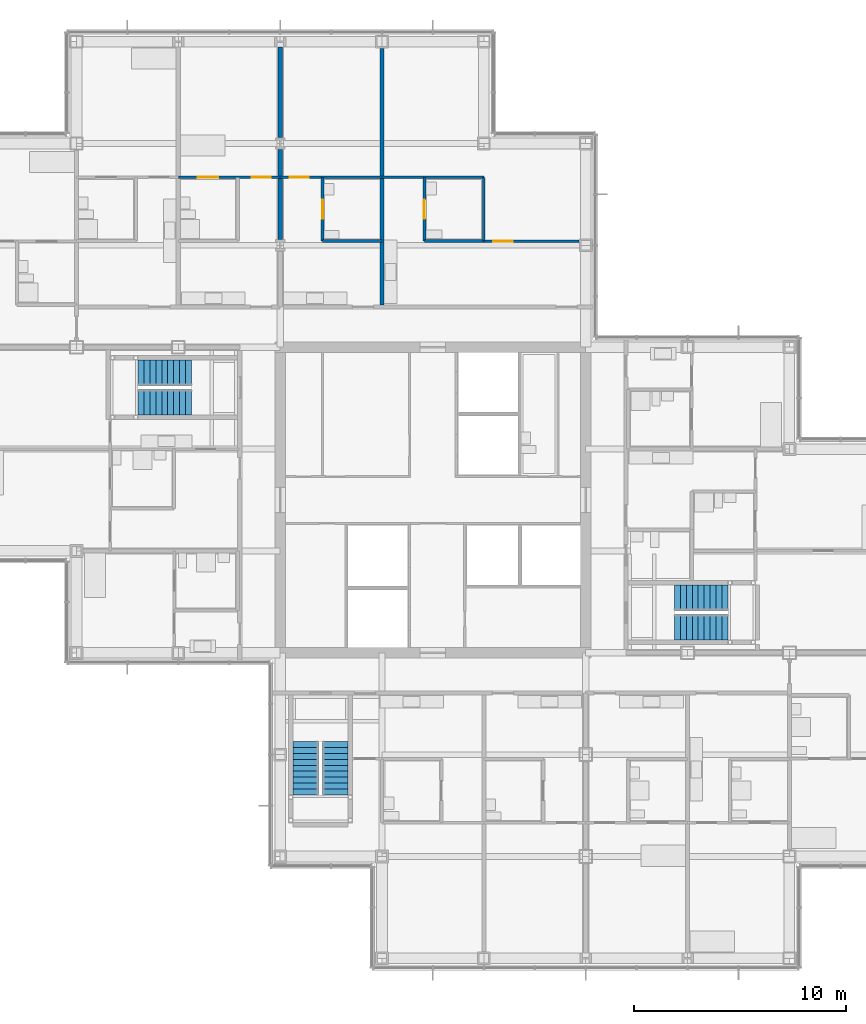
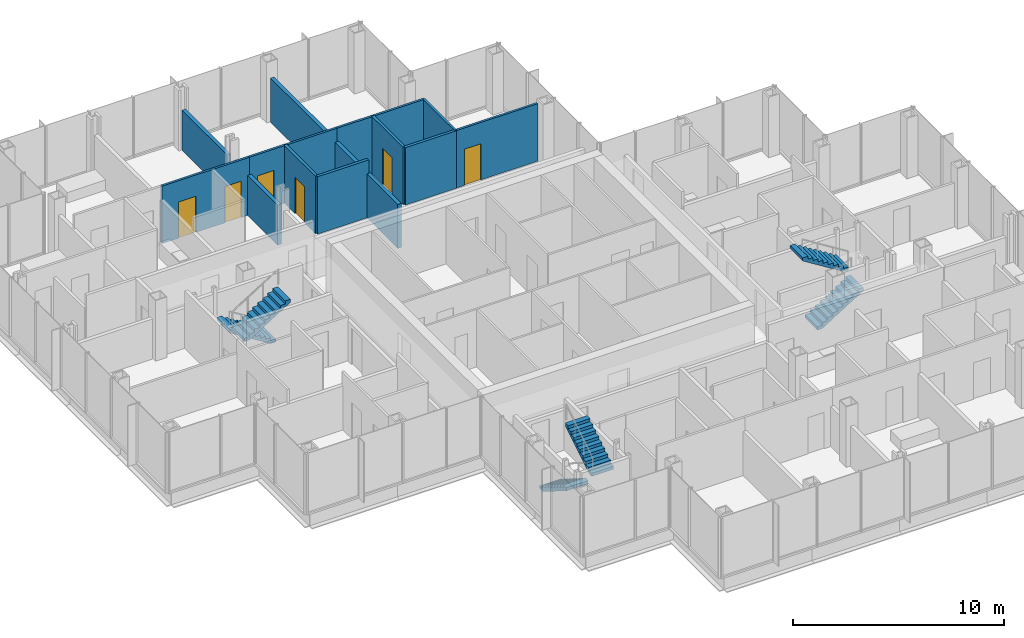
# One storey, part 17 of 20: 12 walls, 6 doors, 6 stair flights, 6 openings, 3 elements without a shape of their own.
"""IFC4 building model written with IfcOpenShell, lengths in metres."""

from ifc_helpers import new_model, si_unit, direction, frame, frame_2d, origin, place, context, subcontext, project, spatial, polyline, rectangle, outline, extrude, material, layer, layer_set, type_object, element, fill, aggregate, save


model = new_model("IFC4")

# Units and contexts
model_context = context("Model", 3, precision=1e-05, world=origin(), true_north=direction((0.0, 1.0)))
body_context = subcontext(model_context, "Body", "Model", "MODEL_VIEW")
ifc_project = project(units=[si_unit("LENGTHUNIT", "METRE"), si_unit("AREAUNIT", "SQUARE_METRE"), si_unit("VOLUMEUNIT", "CUBIC_METRE"), si_unit("PLANEANGLEUNIT", "RADIAN"), si_unit("MASSUNIT", "GRAM", prefix="KILO")], contexts=[model_context])

# Site, building, storey
site_placement = place(None, origin())
site = spatial("IfcSite", under=ifc_project, at=site_placement, CompositionType="ELEMENT")
building_placement = place(site_placement, origin())
building = spatial("IfcBuilding", under=site, at=building_placement, Name="Kvirike Care Tower", CompositionType="ELEMENT")
storey_placement = place(building_placement, frame((0.0, 0.0, 112.0)))
storey = spatial("IfcBuildingStorey", under=building, at=storey_placement, Name="L30", CompositionType="ELEMENT", Elevation=112.0)

# Wall, opening, door
ifc_material_1 = material(Name="Moisture-resistant board partition", Category="gypsum")
ifc_layer_1 = layer(ifc_material_1, 0.14990234375)
ifc_layer_set_1 = layer_set([ifc_layer_1], Name="BATHROOM WALL 150")
wall_type_1 = type_object("IfcWallType", Name="BATHROOM WALL 150", PredefinedType="PARTITIONING", material=ifc_layer_set_1)
wall_1_placement = place(storey_placement, frame((21.199951171875, 51.199951171875, 0.0), z_axis=(0.0, 0.0, 1.0), x_axis=(0.0, -1.0, 0.0)))
wall_1 = element("IfcWall", 1, at=wall_1_placement, inside=storey, type_object=wall_type_1, Name="Bathroom Wall 150 L30", PredefinedType="PARTITIONING", context=body_context, shape_type="SweptSolid", body=[
    extrude(rectangle(XDim=3.0, YDim=0.14990234375, at=frame_2d((1.5, 0.0))), origin(), (0.0, 0.0, 1.0), 3.330078125),
])
opening_1_placement = place(wall_1_placement, frame((1.050048828125, 0.0, 0.0)))
opening_1 = element("IfcOpeningElement", 2, at=opening_1_placement, cuts=wall_1, Name="Opening 30-026", PredefinedType="OPENING", context=body_context, shape_type="SweptSolid", body=[
    extrude(rectangle(XDim=0.89990234375, YDim=2.10009765625, at=frame_2d((0.449951171875, 1.050048828125))), frame((0.0, 0.08544921875, 0.0), z_axis=(0.0, -1.0, 0.0), x_axis=(1.0, 0.0, 0.0)), (0.0, 0.0, 1.0), 0.1708984375),
])
ifc_material_2 = material(Name="Timber door set", Category="wood")
door_type_1 = type_object("IfcDoorType", Name="BATHROOM DOOR 900", OperationType="SINGLE_SWING_RIGHT", PredefinedType="DOOR", material=ifc_material_2)
door_1_placement = place(opening_1_placement, origin())
door_1 = element("IfcDoor", 3, at=door_1_placement, inside=storey, type_object=door_type_1, Name="Accessible WC door", OperationType="SINGLE_SWING_LEFT", OverallHeight=2.10009765625, OverallWidth=0.89990234375, PredefinedType="DOOR", context=body_context, shape_type="SweptSolid", body=[
    extrude(rectangle(XDim=0.89990234375, YDim=2.10009765625, at=frame_2d((0.449951171875, 1.050048828125))), frame((0.0, 0.02197265625, 0.0), z_axis=(0.0, -1.0, 0.0), x_axis=(1.0, 0.0, 0.0)), (0.0, 0.0, 1.0), 0.0439453125),
])
fill(opening_1, door_1)

# Wall
wall_2_placement = place(storey_placement, frame((24.0, 48.199951171875, 0.0), z_axis=(0.0, 0.0, 1.0), x_axis=(-1.0, 0.0, 0.0)))
element("IfcWall", 4, at=wall_2_placement, inside=storey, type_object=wall_type_1, Name="Bathroom Wall 150 L30", PredefinedType="PARTITIONING", context=body_context, shape_type="SweptSolid", body=[
    extrude(rectangle(XDim=2.800048828125, YDim=0.14990234375, at=frame_2d((1.39990234375, 0.0))), origin(), (0.0, 0.0, 1.0), 3.330078125),
])

# Wall, opening, door
wall_3_placement = place(storey_placement, frame((16.39990234375, 51.199951171875, 0.0), z_axis=(0.0, 0.0, 1.0), x_axis=(0.0, -1.0, 0.0)))
wall_3 = element("IfcWall", 5, at=wall_3_placement, inside=storey, type_object=wall_type_1, Name="Bathroom Wall 150 L30", PredefinedType="PARTITIONING", context=body_context, shape_type="SweptSolid", body=[
    extrude(rectangle(XDim=3.0, YDim=0.14990234375, at=frame_2d((1.5, 0.0))), origin(), (0.0, 0.0, 1.0), 3.330078125),
])
opening_2_placement = place(wall_3_placement, frame((1.050048828125, 0.0, 0.0)))
opening_2 = element("IfcOpeningElement", 6, at=opening_2_placement, cuts=wall_3, Name="Opening 30-028", PredefinedType="OPENING", context=body_context, shape_type="SweptSolid", body=[
    extrude(rectangle(XDim=0.89990234375, YDim=2.10009765625, at=frame_2d((0.449951171875, 1.050048828125))), frame((0.0, 0.08544921875, 0.0), z_axis=(0.0, -1.0, 0.0), x_axis=(1.0, 0.0, 0.0)), (0.0, 0.0, 1.0), 0.1708984375),
])
door_2_placement = place(opening_2_placement, origin())
door_2 = element("IfcDoor", 7, at=door_2_placement, inside=storey, type_object=door_type_1, Name="Staff WC door", OperationType="SINGLE_SWING_LEFT", OverallHeight=2.10009765625, OverallWidth=0.89990234375, PredefinedType="DOOR", context=body_context, shape_type="SweptSolid", body=[
    extrude(rectangle(XDim=0.89990234375, YDim=2.10009765625, at=frame_2d((0.449951171875, 1.050048828125))), frame((0.0, 0.02197265625, 0.0), z_axis=(0.0, -1.0, 0.0), x_axis=(1.0, 0.0, 0.0)), (0.0, 0.0, 1.0), 0.0439453125),
])
fill(opening_2, door_2)

# Wall
wall_4_placement = place(storey_placement, frame((19.199951171875, 48.199951171875, 0.0), z_axis=(0.0, 0.0, 1.0), x_axis=(-1.0, 0.0, 0.0)))
element("IfcWall", 8, at=wall_4_placement, inside=storey, type_object=wall_type_1, Name="Bathroom Wall 150 L30", PredefinedType="PARTITIONING", context=body_context, shape_type="SweptSolid", body=[
    extrude(rectangle(XDim=2.800048828125, YDim=0.14990234375, at=frame_2d((1.39990234375, 0.0))), origin(), (0.0, 0.0, 1.0), 3.330078125),
])

# Wall, openings, doors
ifc_material_3 = material(Name="Plasterboard partition", Category="gypsum")
ifc_layer_2 = layer(ifc_material_3, 0.1201171875)
ifc_layer_set_2 = layer_set([ifc_layer_2], Name="PARTITION 120")
wall_type_2 = type_object("IfcWallType", Name="PARTITION 120", PredefinedType="PARTITIONING", material=ifc_layer_set_2)
wall_5_placement = place(storey_placement, frame((14.39990234375, 51.199951171875, 0.0), z_axis=(0.0, 0.0, 1.0), x_axis=(-1.0, 0.0, 0.0)))
wall_5 = element("IfcWall", 9, at=wall_5_placement, inside=storey, type_object=wall_type_2, Name="Partition 120 L30", PredefinedType="PARTITIONING", context=body_context, shape_type="SweptSolid", body=[
    extrude(rectangle(XDim=4.7998046875, YDim=0.1201171875, at=frame_2d((2.39990234375, 0.0))), origin(), (0.0, 0.0, 1.0), 3.330078125),
])
opening_3_placement = place(wall_5_placement, frame((0.449951171875, 0.0, 0.0)))
opening_3 = element("IfcOpeningElement", 10, at=opening_3_placement, cuts=wall_5, Name="Opening 30-010", PredefinedType="OPENING", context=body_context, shape_type="SweptSolid", body=[
    extrude(rectangle(XDim=0.89990234375, YDim=2.10009765625, at=frame_2d((0.449951171875, 1.050048828125))), frame((0.0, 0.070556640625, 0.0), z_axis=(0.0, -1.0, 0.0), x_axis=(1.0, 0.0, 0.0)), (0.0, 0.0, 1.0), 0.14111328125),
])
opening_4_placement = place(wall_5_placement, frame((2.925048828125, 0.0, 0.0)))
opening_4 = element("IfcOpeningElement", 11, at=opening_4_placement, cuts=wall_5, Name="Opening 30-011", PredefinedType="OPENING", context=body_context, shape_type="SweptSolid", body=[
    extrude(rectangle(XDim=0.949951171875, YDim=2.10009765625, at=frame_2d((0.47509765625, 1.050048828125))), frame((0.0, 0.070556640625, 0.0), z_axis=(0.0, -1.0, 0.0), x_axis=(1.0, 0.0, 0.0)), (0.0, 0.0, 1.0), 0.14111328125),
])
ifc_material_4 = material(Name="Timber door set", Category="wood")
door_type_2 = type_object("IfcDoorType", Name="EN-SUITE SLIDING DOOR 950", OperationType="SLIDING_TO_LEFT", PredefinedType="DOOR", material=ifc_material_4)
door_3_placement = place(opening_4_placement, origin())
door_3 = element("IfcDoor", 12, at=door_3_placement, inside=storey, type_object=door_type_2, Name="En-suite door", OperationType="SLIDING_TO_RIGHT", OverallHeight=2.10009765625, OverallWidth=0.949951171875, PredefinedType="DOOR", context=body_context, shape_type="SweptSolid", body=[
    extrude(rectangle(XDim=0.949951171875, YDim=2.10009765625, at=frame_2d((0.47509765625, 1.050048828125))), frame((0.0, 0.02197265625, 0.0), z_axis=(0.0, -1.0, 0.0), x_axis=(1.0, 0.0, 0.0)), (0.0, 0.0, 1.0), 0.0439453125),
])
fill(opening_4, door_3)
ifc_material_5 = material(Name="Timber door set", Category="wood")
door_type_3 = type_object("IfcDoorType", Name="INTERNAL DOOR 900", OperationType="SINGLE_SWING_LEFT", PredefinedType="DOOR", material=ifc_material_5)
door_4_placement = place(opening_3_placement, origin())
door_4 = element("IfcDoor", 13, at=door_4_placement, inside=storey, type_object=door_type_3, Name="Assisted living suite door", OperationType="SINGLE_SWING_RIGHT", OverallHeight=2.10009765625, OverallWidth=0.89990234375, PredefinedType="DOOR", context=body_context, shape_type="SweptSolid", body=[
    extrude(rectangle(XDim=0.89990234375, YDim=2.10009765625, at=frame_2d((0.449951171875, 1.050048828125))), frame((0.0, 0.02197265625, 0.0), z_axis=(0.0, -1.0, 0.0), x_axis=(1.0, 0.0, 0.0)), (0.0, 0.0, 1.0), 0.0439453125),
])
fill(opening_3, door_4)

# Wall, opening, door
wall_6_placement = place(storey_placement, frame((28.47998046875, 48.199951171875, 0.0), z_axis=(0.0, 0.0, 1.0), x_axis=(-1.0, 0.0, 0.0)))
wall_6 = element("IfcWall", 14, at=wall_6_placement, inside=storey, type_object=wall_type_2, Name="Partition 120 L30", PredefinedType="PARTITIONING", context=body_context, shape_type="SweptSolid", body=[
    extrude(rectangle(XDim=4.47998046875, YDim=0.1201171875, at=frame_2d((2.239990234375, 0.0))), origin(), (0.0, 0.0, 1.0), 3.330078125),
])
opening_5_placement = place(wall_6_placement, frame((3.1298828125, 0.0, 0.0)))
opening_5 = element("IfcOpeningElement", 15, at=opening_5_placement, cuts=wall_6, Name="Opening 30-027", PredefinedType="OPENING", context=body_context, shape_type="SweptSolid", body=[
    extrude(rectangle(XDim=0.89990234375, YDim=2.10009765625, at=frame_2d((0.449951171875, 1.050048828125))), frame((0.0, 0.070556640625, 0.0), z_axis=(0.0, -1.0, 0.0), x_axis=(1.0, 0.0, 0.0)), (0.0, 0.0, 1.0), 0.14111328125),
])
door_5_placement = place(opening_5_placement, origin())
door_5 = element("IfcDoor", 16, at=door_5_placement, inside=storey, type_object=door_type_3, Name="Household lounge door", OperationType="SINGLE_SWING_RIGHT", OverallHeight=2.10009765625, OverallWidth=0.89990234375, PredefinedType="DOOR", context=body_context, shape_type="SweptSolid", body=[
    extrude(rectangle(XDim=0.89990234375, YDim=2.10009765625, at=frame_2d((0.449951171875, 1.050048828125))), frame((0.0, 0.02197265625, 0.0), z_axis=(0.0, -1.0, 0.0), x_axis=(1.0, 0.0, 0.0)), (0.0, 0.0, 1.0), 0.0439453125),
])
fill(opening_5, door_5)

# Walls
wall_7_placement = place(storey_placement, frame((24.0, 51.199951171875, 0.0), z_axis=(0.0, 0.0, 1.0), x_axis=(-1.0, 0.0, 0.0)))
element("IfcWall", 17, at=wall_7_placement, inside=storey, type_object=wall_type_2, Name="Partition 120 L30", PredefinedType="PARTITIONING", context=body_context, shape_type="SweptSolid", body=[
    extrude(rectangle(XDim=4.800048828125, YDim=0.1201171875, at=frame_2d((2.39990234375, 0.0))), origin(), (0.0, 0.0, 1.0), 3.330078125),
])
wall_8_placement = place(storey_placement, frame((24.0, 51.199951171875, 0.0), z_axis=(0.0, 0.0, 1.0), x_axis=(0.0, -1.0, 0.0)))
element("IfcWall", 18, at=wall_8_placement, inside=storey, type_object=wall_type_2, Name="Partition 120 L30", PredefinedType="PARTITIONING", context=body_context, shape_type="SweptSolid", body=[
    extrude(rectangle(XDim=3.0, YDim=0.1201171875, at=frame_2d((1.5, 0.0))), origin(), (0.0, 0.0, 1.0), 3.330078125),
])

# Wall, opening, door
wall_9_placement = place(storey_placement, frame((19.199951171875, 51.199951171875, 0.0), z_axis=(0.0, 0.0, 1.0), x_axis=(-1.0, 0.0, 0.0)))
wall_9 = element("IfcWall", 19, at=wall_9_placement, inside=storey, type_object=wall_type_2, Name="Partition 120 L30", PredefinedType="PARTITIONING", context=body_context, shape_type="SweptSolid", body=[
    extrude(rectangle(XDim=4.800048828125, YDim=0.1201171875, at=frame_2d((2.39990234375, 0.0))), origin(), (0.0, 0.0, 1.0), 3.330078125),
])
opening_6_placement = place(wall_9_placement, frame((3.449951171875, 0.0, 0.0)))
opening_6 = element("IfcOpeningElement", 20, at=opening_6_placement, cuts=wall_9, Name="Opening 30-029", PredefinedType="OPENING", context=body_context, shape_type="SweptSolid", body=[
    extrude(rectangle(XDim=0.89990234375, YDim=2.10009765625, at=frame_2d((0.449951171875, 1.050048828125))), frame((0.0, 0.070556640625, 0.0), z_axis=(0.0, -1.0, 0.0), x_axis=(1.0, 0.0, 0.0)), (0.0, 0.0, 1.0), 0.14111328125),
])
door_6_placement = place(opening_6_placement, origin())
door_6 = element("IfcDoor", 21, at=door_6_placement, inside=storey, type_object=door_type_3, Name="Household dining room door", OperationType="SINGLE_SWING_LEFT", OverallHeight=2.10009765625, OverallWidth=0.89990234375, PredefinedType="DOOR", context=body_context, shape_type="SweptSolid", body=[
    extrude(rectangle(XDim=0.89990234375, YDim=2.10009765625, at=frame_2d((0.449951171875, 1.050048828125))), frame((0.0, 0.02197265625, 0.0), z_axis=(0.0, -1.0, 0.0), x_axis=(1.0, 0.0, 0.0)), (0.0, 0.0, 1.0), 0.0439453125),
])
fill(opening_6, door_6)

# Walls
ifc_material_6 = material(Name="Plasterboard party wall", Category="gypsum")
ifc_layer_3 = layer(ifc_material_6, 0.199951171875)
ifc_layer_set_3 = layer_set([ifc_layer_3], Name="PARTY WALL 200")
wall_type_3 = type_object("IfcWallType", Name="PARTY WALL 200", PredefinedType="PARTITIONING", material=ifc_layer_set_3)
wall_10_placement = place(storey_placement, frame((19.199951171875, 57.280029296875, 0.0), z_axis=(0.0, 0.0, 1.0), x_axis=(0.0, -1.0, 0.0)))
element("IfcWall", 22, at=wall_10_placement, inside=storey, type_object=wall_type_3, Name="Party Wall 200 L30", PredefinedType="PARTITIONING", context=body_context, shape_type="SweptSolid", body=[
    extrude(rectangle(XDim=12.080078125, YDim=0.199951171875, at=frame_2d((6.0400390625, 0.0))), origin(), (0.0, 0.0, 1.0), 2.550048828125),
])
wall_11_placement = place(storey_placement, frame((14.39990234375, 48.285400390625, 0.0), z_axis=(0.0, 0.0, 1.0), x_axis=(0.0, 1.0, 0.0)))
element("IfcWall", 23, at=wall_11_placement, inside=storey, type_object=wall_type_3, Name="Party Wall 200 L30", PredefinedType="PARTITIONING", context=body_context, shape_type="SweptSolid", body=[
    extrude(rectangle(XDim=4.22900390625, YDim=0.199951171875, at=frame_2d((2.114501953125, 0.0))), origin(), (0.0, 0.0, 1.0), 2.320068359375),
])
wall_12_placement = place(storey_placement, frame((14.39990234375, 53.08544921875, 0.0), z_axis=(0.0, 0.0, 1.0), x_axis=(0.0, 1.0, 0.0)))
element("IfcWall", 24, at=wall_12_placement, inside=storey, type_object=wall_type_3, Name="Party Wall 200 L30", PredefinedType="PARTITIONING", context=body_context, shape_type="SweptSolid", body=[
    extrude(rectangle(XDim=4.2705078125, YDim=0.199951171875, at=frame_2d((2.13525390625, 0.0))), origin(), (0.0, 0.0, 1.0), 2.320068359375),
])

# Stair, stair flights
ifc_material_7 = material(Name="Concrete C35/45", Category="concrete")
stair_type = type_object("IfcStairType", Name="STAIR 20 RISERS", PredefinedType="HALF_TURN_STAIR", material=ifc_material_7)
stair_1_placement = place(storey_placement, origin())
stair_1 = element("IfcStair", 25, at=stair_1_placement, inside=storey, type_object=stair_type, Name="Stair 1 L30", PredefinedType="HALF_TURN_STAIR")
ifc_material_8 = material(Name="Concrete C35/45", Category="concrete")
stair_flight_type = type_object("IfcStairFlightType", Name="FLIGHT 10 RISERS", PredefinedType="STRAIGHT", material=ifc_material_8)
stair_flight_1_placement = place(storey_placement, frame((10.219970703125, 42.0, 0.0), z_axis=(0.0, 0.0, 1.0), x_axis=(-1.0, 0.0, 0.0)))
stair_flight_1 = element("IfcStairFlight", 26, at=stair_flight_1_placement, type_object=stair_flight_type, Name="Stair S1 flight 1 L30-L31", NumberOfRisers=10, NumberOfTreads=9, PredefinedType="STRAIGHT", RiserHeight=0.175, TreadLength=0.28, context=body_context, shape_type="SweptSolid", body=[
    extrude(outline(polyline([(0.0, 0.0), (0.0, 0.175048828125), (0.280029296875, 0.175048828125), (0.280029296875, 0.35009765625), (0.56005859375, 0.35009765625), (0.56005859375, 0.52490234375), (0.840087890625, 0.52490234375), (0.840087890625, 0.699951171875), (1.1201171875, 0.699951171875), (1.1201171875, 0.875), (1.39990234375, 0.875), (1.39990234375, 1.050048828125), (1.679931640625, 1.050048828125), (1.679931640625, 1.22509765625), (1.9599609375, 1.22509765625), (1.9599609375, 1.39990234375), (2.239990234375, 1.39990234375), (2.239990234375, 1.574951171875), (2.52001953125, 1.574951171875), (2.52001953125, 1.75), (2.52001953125, 1.398193359375), (0.28271484375, 0.0), (0.0, 0.0)])), frame((0.0, 0.60009765625, 0.0), z_axis=(0.0, -1.0, 0.0), x_axis=(1.0, 0.0, 0.0)), (0.0, 0.0, 1.0), 1.199951171875),
])
stair_flight_2_placement = place(storey_placement, frame((7.699951171875, 40.60009765625, 1.75), z_axis=(0.0, 0.0, 1.0), x_axis=(1.0, 0.0, 0.0)))
stair_flight_2 = element("IfcStairFlight", 27, at=stair_flight_2_placement, type_object=stair_flight_type, Name="Stair S1 flight 2 L30-L31", NumberOfRisers=10, NumberOfTreads=9, PredefinedType="STRAIGHT", RiserHeight=0.175, TreadLength=0.28, context=body_context, shape_type="SweptSolid", body=[
    extrude(outline(polyline([(0.0, 0.0), (0.0, 0.175048828125), (0.280029296875, 0.175048828125), (0.280029296875, 0.35009765625), (0.56005859375, 0.35009765625), (0.56005859375, 0.52490234375), (0.840087890625, 0.52490234375), (0.840087890625, 0.699951171875), (1.1201171875, 0.699951171875), (1.1201171875, 0.875), (1.39990234375, 0.875), (1.39990234375, 1.050048828125), (1.679931640625, 1.050048828125), (1.679931640625, 1.22509765625), (1.9599609375, 1.22509765625), (1.9599609375, 1.39990234375), (2.239990234375, 1.39990234375), (2.239990234375, 1.574951171875), (2.52001953125, 1.574951171875), (2.52001953125, 1.75), (2.52001953125, 1.398193359375), (0.28271484375, 0.0), (0.0, 0.0)])), frame((0.0, 0.60009765625, 0.0), z_axis=(0.0, -1.0, 0.0), x_axis=(1.0, 0.0, 0.0)), (0.0, 0.0, 1.0), 1.199951171875),
])
aggregate(stair_1, [stair_flight_1, stair_flight_2])

stair_2_placement = place(storey_placement, origin())
stair_2 = element("IfcStair", 28, at=stair_2_placement, inside=storey, type_object=stair_type, Name="Stair 2 L30", PredefinedType="HALF_TURN_STAIR")
stair_flight_3_placement = place(storey_placement, frame((32.97998046875, 30.0, 0.0), z_axis=(0.0, 0.0, 1.0), x_axis=(1.0, 0.0, 0.0)))
stair_flight_3 = element("IfcStairFlight", 29, at=stair_flight_3_placement, type_object=stair_flight_type, Name="Stair S2 flight 1 L30-L31", NumberOfRisers=10, NumberOfTreads=9, PredefinedType="STRAIGHT", RiserHeight=0.175, TreadLength=0.28, context=body_context, shape_type="SweptSolid", body=[
    extrude(outline(polyline([(0.0, 0.0), (0.0, 0.175048828125), (0.280029296875, 0.175048828125), (0.280029296875, 0.35009765625), (0.56005859375, 0.35009765625), (0.56005859375, 0.52490234375), (0.840087890625, 0.52490234375), (0.840087890625, 0.699951171875), (1.1201171875, 0.699951171875), (1.1201171875, 0.875), (1.39990234375, 0.875), (1.39990234375, 1.050048828125), (1.679931640625, 1.050048828125), (1.679931640625, 1.22509765625), (1.9599609375, 1.22509765625), (1.9599609375, 1.39990234375), (2.239990234375, 1.39990234375), (2.239990234375, 1.574951171875), (2.52001953125, 1.574951171875), (2.52001953125, 1.75), (2.52001953125, 1.398193359375), (0.28271484375, 0.0), (0.0, 0.0)])), frame((0.0, 0.60009765625, 0.0), z_axis=(0.0, -1.0, 0.0), x_axis=(1.0, 0.0, 0.0)), (0.0, 0.0, 1.0), 1.199951171875),
])
stair_flight_4_placement = place(storey_placement, frame((35.5, 31.39990234375, 1.75), z_axis=(0.0, 0.0, 1.0), x_axis=(-1.0, 0.0, 0.0)))
stair_flight_4 = element("IfcStairFlight", 30, at=stair_flight_4_placement, type_object=stair_flight_type, Name="Stair S2 flight 2 L30-L31", NumberOfRisers=10, NumberOfTreads=9, PredefinedType="STRAIGHT", RiserHeight=0.175, TreadLength=0.28, context=body_context, shape_type="SweptSolid", body=[
    extrude(outline(polyline([(0.0, 0.0), (0.0, 0.175048828125), (0.280029296875, 0.175048828125), (0.280029296875, 0.35009765625), (0.56005859375, 0.35009765625), (0.56005859375, 0.52490234375), (0.840087890625, 0.52490234375), (0.840087890625, 0.699951171875), (1.1201171875, 0.699951171875), (1.1201171875, 0.875), (1.39990234375, 0.875), (1.39990234375, 1.050048828125), (1.679931640625, 1.050048828125), (1.679931640625, 1.22509765625), (1.9599609375, 1.22509765625), (1.9599609375, 1.39990234375), (2.239990234375, 1.39990234375), (2.239990234375, 1.574951171875), (2.52001953125, 1.574951171875), (2.52001953125, 1.75), (2.52001953125, 1.398193359375), (0.28271484375, 0.0), (0.0, 0.0)])), frame((0.0, 0.60009765625, 0.0), z_axis=(0.0, -1.0, 0.0), x_axis=(1.0, 0.0, 0.0)), (0.0, 0.0, 1.0), 1.199951171875),
])
aggregate(stair_2, [stair_flight_3, stair_flight_4])

stair_3_placement = place(storey_placement, origin())
stair_3 = element("IfcStair", 31, at=stair_3_placement, inside=storey, type_object=stair_type, Name="Stair 5 L30", PredefinedType="HALF_TURN_STAIR")
stair_flight_5_placement = place(storey_placement, frame((15.60009765625, 24.6201171875, 0.0), z_axis=(0.0, 0.0, 1.0), x_axis=(0.0, -1.0, 0.0)))
stair_flight_5 = element("IfcStairFlight", 32, at=stair_flight_5_placement, type_object=stair_flight_type, Name="Stair S5 flight 1 L30-L31", NumberOfRisers=10, NumberOfTreads=9, PredefinedType="STRAIGHT", RiserHeight=0.175, TreadLength=0.28, context=body_context, shape_type="SweptSolid", body=[
    extrude(outline(polyline([(0.0, 0.0), (0.0, 0.175048828125), (0.280029296875, 0.175048828125), (0.280029296875, 0.35009765625), (0.56005859375, 0.35009765625), (0.56005859375, 0.52490234375), (0.840087890625, 0.52490234375), (0.840087890625, 0.699951171875), (1.1201171875, 0.699951171875), (1.1201171875, 0.875), (1.39990234375, 0.875), (1.39990234375, 1.050048828125), (1.679931640625, 1.050048828125), (1.679931640625, 1.22509765625), (1.9599609375, 1.22509765625), (1.9599609375, 1.39990234375), (2.239990234375, 1.39990234375), (2.239990234375, 1.574951171875), (2.52001953125, 1.574951171875), (2.52001953125, 1.75), (2.52001953125, 1.398193359375), (0.28271484375, 0.0), (0.0, 0.0)])), frame((0.0, 0.60009765625, 0.0), z_axis=(0.0, -1.0, 0.0), x_axis=(1.0, 0.0, 0.0)), (0.0, 0.0, 1.0), 1.199951171875),
])
stair_flight_6_placement = place(storey_placement, frame((17.0, 22.10009765625, 1.75), z_axis=(0.0, 0.0, 1.0), x_axis=(0.0, 1.0, 0.0)))
stair_flight_6 = element("IfcStairFlight", 33, at=stair_flight_6_placement, type_object=stair_flight_type, Name="Stair S5 flight 2 L30-L31", NumberOfRisers=10, NumberOfTreads=9, PredefinedType="STRAIGHT", RiserHeight=0.175, TreadLength=0.28, context=body_context, shape_type="SweptSolid", body=[
    extrude(outline(polyline([(0.0, 0.0), (0.0, 0.175048828125), (0.280029296875, 0.175048828125), (0.280029296875, 0.35009765625), (0.56005859375, 0.35009765625), (0.56005859375, 0.52490234375), (0.840087890625, 0.52490234375), (0.840087890625, 0.699951171875), (1.1201171875, 0.699951171875), (1.1201171875, 0.875), (1.39990234375, 0.875), (1.39990234375, 1.050048828125), (1.679931640625, 1.050048828125), (1.679931640625, 1.22509765625), (1.9599609375, 1.22509765625), (1.9599609375, 1.39990234375), (2.239990234375, 1.39990234375), (2.239990234375, 1.574951171875), (2.52001953125, 1.574951171875), (2.52001953125, 1.75), (2.52001953125, 1.398193359375), (0.28271484375, 0.0), (0.0, 0.0)])), frame((0.0, 0.60009765625, 0.0), z_axis=(0.0, -1.0, 0.0), x_axis=(1.0, 0.0, 0.0)), (0.0, 0.0, 1.0), 1.199951171875),
])
aggregate(stair_3, [stair_flight_5, stair_flight_6])

save(model, "model.ifc")
